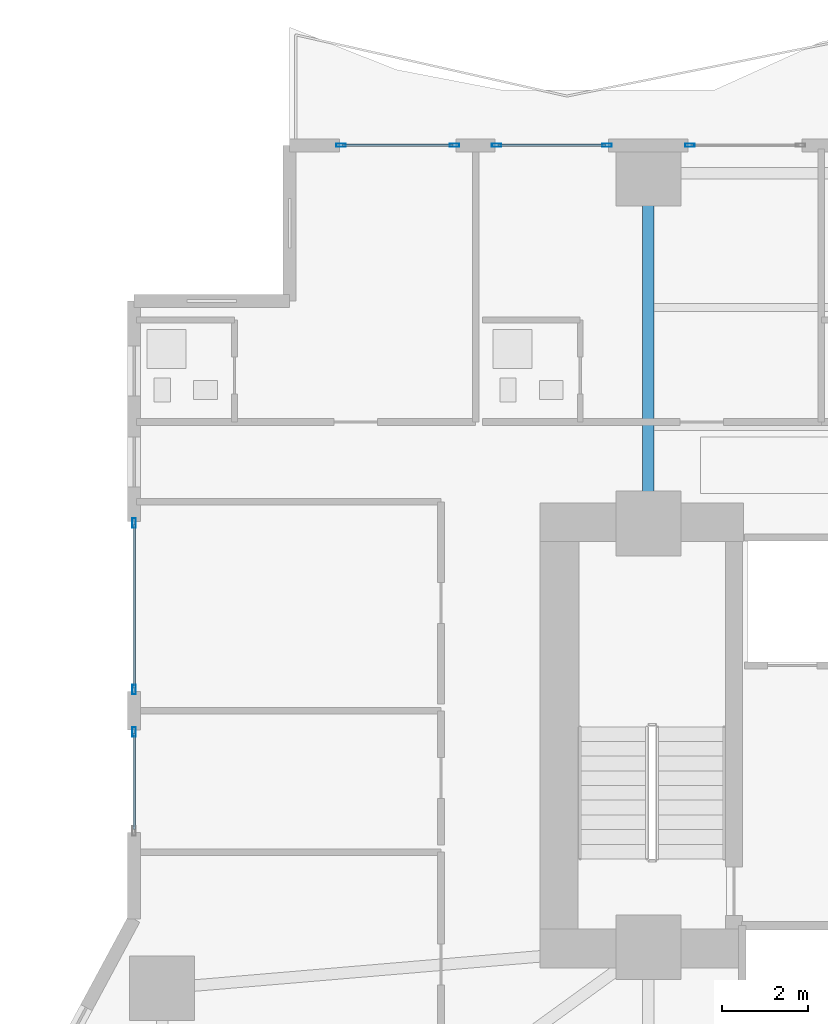
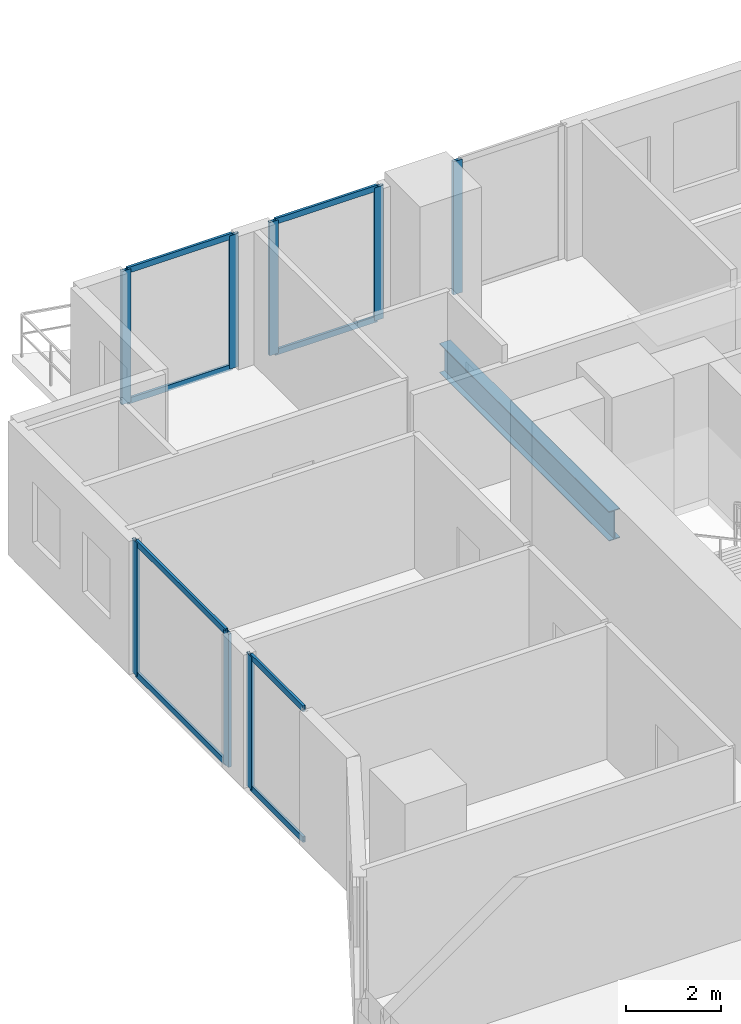
# One storey, part 13 of 30: 16 members, 1 beam, 5 elements without a shape of their own.
"""IFC4 building model written with IfcOpenShell, lengths in metres."""

from ifc_helpers import new_model, si_unit, direction, frame, origin, origin_2d, place, context, subcontext, project, spatial, hollow_rectangle, i_section, extrude, material, layer, layer_set, material_profile, profile_set, type_object, element, aggregate, save


model = new_model("IFC4")

# Units and contexts
model_context = context("Model", 3, precision=1e-05, world=origin(), true_north=direction((0.0, 1.0)))
body_context = subcontext(model_context, "Body", "Model", "MODEL_VIEW")
ifc_project = project(units=[si_unit("LENGTHUNIT", "METRE"), si_unit("AREAUNIT", "SQUARE_METRE"), si_unit("VOLUMEUNIT", "CUBIC_METRE"), si_unit("PLANEANGLEUNIT", "RADIAN"), si_unit("MASSUNIT", "GRAM", prefix="KILO")], contexts=[model_context])

# Site, building, storey
site_placement = place(None, origin())
site = spatial("IfcSite", under=ifc_project, at=site_placement, CompositionType="ELEMENT")
building_placement = place(site_placement, origin())
building = spatial("IfcBuilding", under=site, at=building_placement, Name="Zuhayl Quay Hotel", CompositionType="ELEMENT")
storey_placement = place(building_placement, frame((0.0, 0.0, 82.35009765625)))
storey = spatial("IfcBuildingStorey", under=building, at=storey_placement, Name="L20", CompositionType="ELEMENT", Elevation=82.35009765625)

# Beam
ifc_material_1 = material(Name="Steel ASTM A992 Grade 50", Category="steel")
ifc_material_profile_1 = material_profile(ifc_material_1, i_section(OverallWidth=0.26708984375, OverallDepth=0.761962890625, WebThickness=0.014404296875, FlangeThickness=0.021484375, at=origin_2d()), Name="W30X116")
ifc_profile_set_1 = profile_set([ifc_material_profile_1], Name="Steel ASTM A992 Grade 50")
beam_type = type_object("IfcBeamType", Name="BM_B1_W30X116", PredefinedType="BEAM", material=ifc_profile_set_1)
beam_placement = place(storey_placement, frame((-13.800048828125, 14.800048828125, -0.60107421875), z_axis=(0.0, 1.0, 0.0), x_axis=(-1.0, 0.0, 0.0)))
element("IfcBeam", 1, at=beam_placement, inside=storey, type_object=beam_type, Name="L20 Floor Beam FG_N_L20_1", PredefinedType="BEAM", context=body_context, shape_type="SweptSolid", body=[
    extrude(i_section(OverallWidth=0.26708984375, OverallDepth=0.761962890625, WebThickness=0.014404296875, FlangeThickness=0.021484375, at=origin_2d()), origin(), (0.0, 0.0, 1.0), 7.14990234375),
])

# Curtain wall, member
ifc_material_2 = material(Name="Anodised Aluminium 6063-T6", Category="aluminium")
ifc_layer = layer(ifc_material_2, 0.18994140625, Name="Anodised Aluminium 6063-T6", Category="aluminium")
ifc_layer_set = layer_set([ifc_layer], Name="Anodised Aluminium 6063-T6")
curtain_wall_type = type_object("IfcCurtainWallType", Name="CW_SYS_Z1", PredefinedType="USERDEFINED", material=ifc_layer_set)
curtain_wall_1_placement = place(storey_placement, origin())
curtain_wall_1 = element("IfcCurtainWall", 2, at=curtain_wall_1_placement, inside=storey, type_object=curtain_wall_type, Name="L20 Curtain Wall ENV_L20_E05_CW1", ObjectType="UNITISED CURTAIN WALL", PredefinedType="USERDEFINED")
ifc_material_3 = material(Name="Black-anodised aluminium 6063-T6", Category="aluminium")
ifc_material_profile_2 = material_profile(ifc_material_3, hollow_rectangle(XDim=0.074951171875, YDim=0.219970703125, WallThickness=0.00390625, at=origin_2d()), Name="ALU220X75")
ifc_profile_set_2 = profile_set([ifc_material_profile_2], Name="Black-anodised aluminium 6063-T6")
member_type_1 = type_object("IfcMemberType", Name="MB_CW_MUL_220", PredefinedType="MULLION", material=ifc_profile_set_2)
member_1_placement = place(storey_placement, frame((-25.699951171875, 9.532470703125, 0.0), z_axis=(0.0, 0.0, 1.0), x_axis=(-1.0, 0.0, 0.0)))
member_1 = element("IfcMember", 3, at=member_1_placement, type_object=member_type_1, Name="CW-Z1 mullion 2", PredefinedType="MULLION", context=body_context, shape_type="SweptSolid", body=[
    extrude(hollow_rectangle(XDim=0.074951171875, YDim=0.219970703125, WallThickness=0.00390625, at=origin_2d()), origin(), (0.0, 0.0, 1.0), 3.429931640625),
])

# Curtain wall, members
curtain_wall_2_placement = place(storey_placement, origin())
curtain_wall_2 = element("IfcCurtainWall", 4, at=curtain_wall_2_placement, inside=storey, type_object=curtain_wall_type, Name="L20 Curtain Wall ENV_L20_E05_CW2", ObjectType="UNITISED CURTAIN WALL", PredefinedType="USERDEFINED")
member_2_placement = place(storey_placement, frame((-25.699951171875, 10.507568359375, 0.0), z_axis=(0.0, 0.0, 1.0), x_axis=(-1.0, 0.0, 0.0)))
member_2 = element("IfcMember", 5, at=member_2_placement, type_object=member_type_1, Name="CW-Z1 mullion 1", PredefinedType="MULLION", context=body_context, shape_type="SweptSolid", body=[
    extrude(hollow_rectangle(XDim=0.074951171875, YDim=0.219970703125, WallThickness=0.00390625, at=origin_2d()), origin(), (0.0, 0.0, 1.0), 3.429931640625),
])
member_3_placement = place(storey_placement, frame((-25.699951171875, 14.362548828125, 0.0), z_axis=(0.0, 0.0, 1.0), x_axis=(-1.0, 0.0, 0.0)))
member_3 = element("IfcMember", 6, at=member_3_placement, type_object=member_type_1, Name="CW-Z1 mullion 2", PredefinedType="MULLION", context=body_context, shape_type="SweptSolid", body=[
    extrude(hollow_rectangle(XDim=0.074951171875, YDim=0.219970703125, WallThickness=0.00390625, at=origin_2d()), origin(), (0.0, 0.0, 1.0), 3.429931640625),
])

curtain_wall_3_placement = place(storey_placement, origin())
curtain_wall_3 = element("IfcCurtainWall", 7, at=curtain_wall_3_placement, inside=storey, type_object=curtain_wall_type, Name="L20 Curtain Wall ENV_L20_N_CW1", ObjectType="UNITISED CURTAIN WALL", PredefinedType="USERDEFINED")
member_4_placement = place(storey_placement, frame((-20.91259765625, 23.10009765625, 0.0), z_axis=(0.0, 0.0, 1.0), x_axis=(0.0, 1.0, 0.0)))
member_4 = element("IfcMember", 8, at=member_4_placement, type_object=member_type_1, Name="CW-Z1 mullion 1", PredefinedType="MULLION", context=body_context, shape_type="SweptSolid", body=[
    extrude(hollow_rectangle(XDim=0.074951171875, YDim=0.219970703125, WallThickness=0.00390625, at=origin_2d()), origin(), (0.0, 0.0, 1.0), 3.429931640625),
])
member_5_placement = place(storey_placement, frame((-18.28759765625, 23.10009765625, 0.0), z_axis=(0.0, 0.0, 1.0), x_axis=(0.0, 1.0, 0.0)))
member_5 = element("IfcMember", 9, at=member_5_placement, type_object=member_type_1, Name="CW-Z1 mullion 2", PredefinedType="MULLION", context=body_context, shape_type="SweptSolid", body=[
    extrude(hollow_rectangle(XDim=0.074951171875, YDim=0.219970703125, WallThickness=0.00390625, at=origin_2d()), origin(), (0.0, 0.0, 1.0), 3.429931640625),
])

curtain_wall_4_placement = place(storey_placement, origin())
curtain_wall_4 = element("IfcCurtainWall", 10, at=curtain_wall_4_placement, inside=storey, type_object=curtain_wall_type, Name="L20 Curtain Wall ENV_L20_N_CW2", ObjectType="UNITISED CURTAIN WALL", PredefinedType="USERDEFINED")
member_6_placement = place(storey_placement, frame((-17.3125, 23.10009765625, 0.0), z_axis=(0.0, 0.0, 1.0), x_axis=(0.0, 1.0, 0.0)))
member_6 = element("IfcMember", 11, at=member_6_placement, type_object=member_type_1, Name="CW-Z1 mullion 1", PredefinedType="MULLION", context=body_context, shape_type="SweptSolid", body=[
    extrude(hollow_rectangle(XDim=0.074951171875, YDim=0.219970703125, WallThickness=0.00390625, at=origin_2d()), origin(), (0.0, 0.0, 1.0), 3.429931640625),
])
member_7_placement = place(storey_placement, frame((-14.757568359375, 23.10009765625, 0.0), z_axis=(0.0, 0.0, 1.0), x_axis=(0.0, 1.0, 0.0)))
member_7 = element("IfcMember", 12, at=member_7_placement, type_object=member_type_1, Name="CW-Z1 mullion 2", PredefinedType="MULLION", context=body_context, shape_type="SweptSolid", body=[
    extrude(hollow_rectangle(XDim=0.074951171875, YDim=0.219970703125, WallThickness=0.00390625, at=origin_2d()), origin(), (0.0, 0.0, 1.0), 3.429931640625),
])

# Curtain wall, member
curtain_wall_5_placement = place(storey_placement, origin())
curtain_wall_5 = element("IfcCurtainWall", 13, at=curtain_wall_5_placement, inside=storey, type_object=curtain_wall_type, Name="L20 Curtain Wall ENV_L20_N_CW3", ObjectType="UNITISED CURTAIN WALL", PredefinedType="USERDEFINED")
member_8_placement = place(storey_placement, frame((-12.842529296875, 23.10009765625, 0.0), z_axis=(0.0, 0.0, 1.0), x_axis=(0.0, 1.0, 0.0)))
member_8 = element("IfcMember", 14, at=member_8_placement, type_object=member_type_1, Name="CW-Z1 mullion 1", PredefinedType="MULLION", context=body_context, shape_type="SweptSolid", body=[
    extrude(hollow_rectangle(XDim=0.074951171875, YDim=0.219970703125, WallThickness=0.00390625, at=origin_2d()), origin(), (0.0, 0.0, 1.0), 3.429931640625),
])
aggregate(curtain_wall_5, [member_8])

# Member
ifc_material_profile_3 = material_profile(ifc_material_3, hollow_rectangle(XDim=0.06005859375, YDim=0.14990234375, WallThickness=0.00341796875, at=origin_2d()), Name="ALU150X60")
ifc_profile_set_3 = profile_set([ifc_material_profile_3], Name="Black-anodised aluminium 6063-T6")
member_type_2 = type_object("IfcMemberType", Name="MB_CW_TRN_150", PredefinedType="USERDEFINED", material=ifc_profile_set_3)
member_9_placement = place(storey_placement, frame((-25.699951171875, 7.27490234375, 0.02978515625), z_axis=(0.0, 1.0, 0.0), x_axis=(-1.0, 0.0, 0.0)))
member_9 = element("IfcMember", 15, at=member_9_placement, type_object=member_type_2, Name="CW-Z1 transom 1.1", ObjectType="TRANSOM", PredefinedType="USERDEFINED", context=body_context, shape_type="SweptSolid", body=[
    extrude(hollow_rectangle(XDim=0.06005859375, YDim=0.14990234375, WallThickness=0.00341796875, at=origin_2d()), origin(), (0.0, 0.0, 1.0), 2.22021484375),
])

member_10_placement = place(storey_placement, frame((-25.699951171875, 7.27490234375, 3.39990234375), z_axis=(0.0, 1.0, 0.0), x_axis=(-1.0, 0.0, 0.0)))
member_10 = element("IfcMember", 16, at=member_10_placement, type_object=member_type_2, Name="CW-Z1 transom 1.2", ObjectType="TRANSOM", PredefinedType="USERDEFINED", context=body_context, shape_type="SweptSolid", body=[
    extrude(hollow_rectangle(XDim=0.06005859375, YDim=0.14990234375, WallThickness=0.00341796875, at=origin_2d()), origin(), (0.0, 0.0, 1.0), 2.22021484375),
])

aggregate(curtain_wall_1, [member_1, member_9, member_10])

member_11_placement = place(storey_placement, frame((-25.699951171875, 10.544921875, 0.02978515625), z_axis=(0.0, 1.0, 0.0), x_axis=(-1.0, 0.0, 0.0)))
member_11 = element("IfcMember", 17, at=member_11_placement, type_object=member_type_2, Name="CW-Z1 transom 1.1", ObjectType="TRANSOM", PredefinedType="USERDEFINED", context=body_context, shape_type="SweptSolid", body=[
    extrude(hollow_rectangle(XDim=0.06005859375, YDim=0.14990234375, WallThickness=0.00341796875, at=origin_2d()), origin(), (0.0, 0.0, 1.0), 3.780029296875),
])

member_12_placement = place(storey_placement, frame((-25.699951171875, 10.544921875, 3.39990234375), z_axis=(0.0, 1.0, 0.0), x_axis=(-1.0, 0.0, 0.0)))
member_12 = element("IfcMember", 18, at=member_12_placement, type_object=member_type_2, Name="CW-Z1 transom 1.2", ObjectType="TRANSOM", PredefinedType="USERDEFINED", context=body_context, shape_type="SweptSolid", body=[
    extrude(hollow_rectangle(XDim=0.06005859375, YDim=0.14990234375, WallThickness=0.00341796875, at=origin_2d()), origin(), (0.0, 0.0, 1.0), 3.780029296875),
])

aggregate(curtain_wall_2, [member_2, member_3, member_11, member_12])

member_13_placement = place(storey_placement, frame((-20.875, 23.10009765625, 0.02978515625), z_axis=(1.0, 0.0, 0.0), x_axis=(0.0, 1.0, 0.0)))
member_13 = element("IfcMember", 19, at=member_13_placement, type_object=member_type_2, Name="CW-Z1 transom 1.1", ObjectType="TRANSOM", PredefinedType="USERDEFINED", context=body_context, shape_type="SweptSolid", body=[
    extrude(hollow_rectangle(XDim=0.06005859375, YDim=0.14990234375, WallThickness=0.00341796875, at=origin_2d()), origin(), (0.0, 0.0, 1.0), 2.550048828125),
])

member_14_placement = place(storey_placement, frame((-20.875, 23.10009765625, 3.39990234375), z_axis=(1.0, 0.0, 0.0), x_axis=(0.0, 1.0, 0.0)))
member_14 = element("IfcMember", 20, at=member_14_placement, type_object=member_type_2, Name="CW-Z1 transom 1.2", ObjectType="TRANSOM", PredefinedType="USERDEFINED", context=body_context, shape_type="SweptSolid", body=[
    extrude(hollow_rectangle(XDim=0.06005859375, YDim=0.14990234375, WallThickness=0.00341796875, at=origin_2d()), origin(), (0.0, 0.0, 1.0), 2.550048828125),
])

aggregate(curtain_wall_3, [member_4, member_5, member_13, member_14])

member_15_placement = place(storey_placement, frame((-17.27490234375, 23.10009765625, 0.02978515625), z_axis=(1.0, 0.0, 0.0), x_axis=(0.0, 1.0, 0.0)))
member_15 = element("IfcMember", 21, at=member_15_placement, type_object=member_type_2, Name="CW-Z1 transom 1.1", ObjectType="TRANSOM", PredefinedType="USERDEFINED", context=body_context, shape_type="SweptSolid", body=[
    extrude(hollow_rectangle(XDim=0.06005859375, YDim=0.14990234375, WallThickness=0.00341796875, at=origin_2d()), origin(), (0.0, 0.0, 1.0), 2.47998046875),
])

member_16_placement = place(storey_placement, frame((-17.27490234375, 23.10009765625, 3.39990234375), z_axis=(1.0, 0.0, 0.0), x_axis=(0.0, 1.0, 0.0)))
member_16 = element("IfcMember", 22, at=member_16_placement, type_object=member_type_2, Name="CW-Z1 transom 1.2", ObjectType="TRANSOM", PredefinedType="USERDEFINED", context=body_context, shape_type="SweptSolid", body=[
    extrude(hollow_rectangle(XDim=0.06005859375, YDim=0.14990234375, WallThickness=0.00341796875, at=origin_2d()), origin(), (0.0, 0.0, 1.0), 2.47998046875),
])

aggregate(curtain_wall_4, [member_6, member_7, member_15, member_16])

save(model, "model.ifc")
